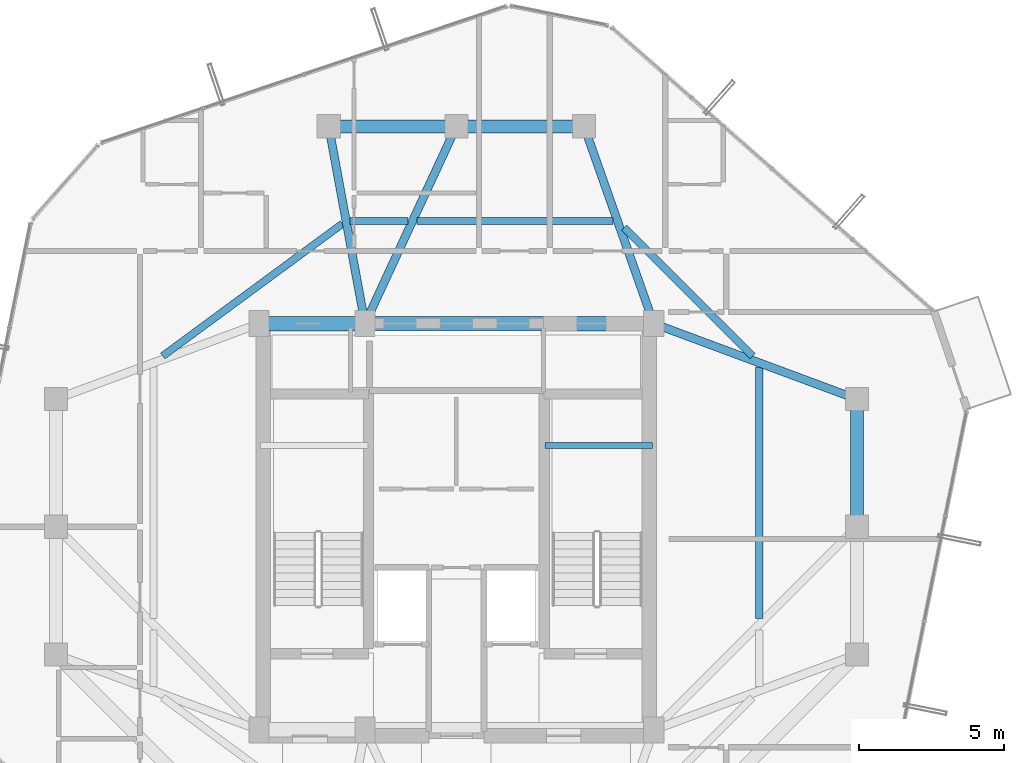
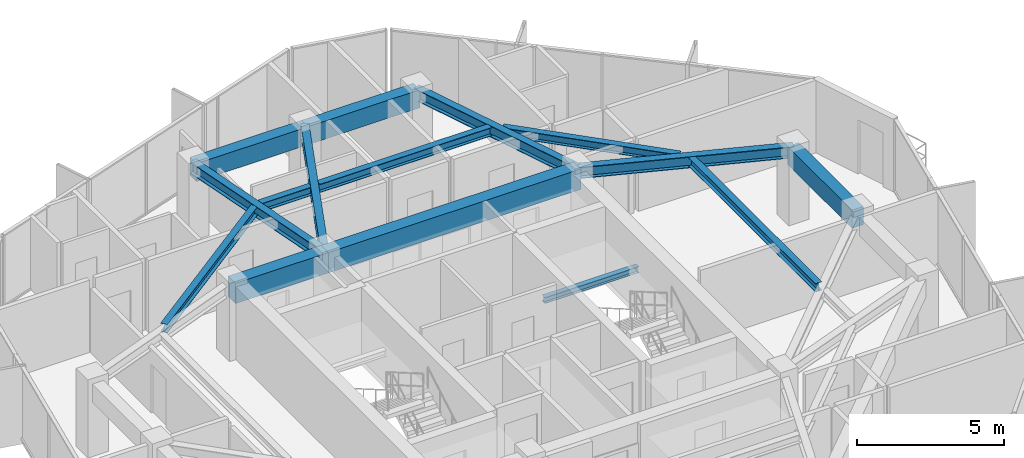
# One storey, part 14 of 28: 15 beams.
"""IFC4 building model written with IfcOpenShell, lengths in metres."""

from ifc_helpers import new_model, si_unit, direction, frame, origin, origin_2d, place, context, subcontext, project, spatial, rectangle, i_section, extrude, material, material_profile, profile_set, type_object, element, save


model = new_model("IFC4")

# Units and contexts
model_context = context("Model", 3, precision=1e-05, world=origin(), true_north=direction((0.0, 1.0)))
body_context = subcontext(model_context, "Body", "Model", "MODEL_VIEW")
ifc_project = project(units=[si_unit("LENGTHUNIT", "METRE"), si_unit("AREAUNIT", "SQUARE_METRE"), si_unit("VOLUMEUNIT", "CUBIC_METRE"), si_unit("PLANEANGLEUNIT", "RADIAN"), si_unit("MASSUNIT", "GRAM", prefix="KILO")], contexts=[model_context])

# Site, building, storey
site_placement = place(None, origin())
site = spatial("IfcSite", under=ifc_project, at=site_placement, CompositionType="ELEMENT")
building_placement = place(site_placement, origin())
building = spatial("IfcBuilding", under=site, at=building_placement, Name="Veraguas Prism Commons", CompositionType="ELEMENT")
storey_placement = place(building_placement, frame((0.0, 0.0, 248.0)))
storey = spatial("IfcBuildingStorey", under=building, at=storey_placement, Name="L70", CompositionType="ELEMENT", Elevation=248.0)

# Beams
ifc_material_1 = material(Name="Concrete C50/60", Category="concrete")
ifc_material_profile_1 = material_profile(ifc_material_1, rectangle(XDim=0.5, YDim=0.85009765625, at=origin_2d()), Name="RC500X850")
ifc_profile_set_1 = profile_set([ifc_material_profile_1], Name="Concrete C50/60")
beam_type_1 = type_object("IfcBeamType", Name="Core Coupling Beam RC 500x850", PredefinedType="BEAM", material=ifc_profile_set_1)
beam_1_placement = place(storey_placement, frame((17.199951171875, 31.0, 2.590087890625), z_axis=(1.0, 0.0, 0.0), x_axis=(0.0, 1.0, 0.0)))
element("IfcBeam", 1, at=beam_1_placement, inside=storey, type_object=beam_type_1, Name="Core Coupling Beam L70-CRN1", PredefinedType="BEAM", context=body_context, shape_type="SweptSolid", body=[
    extrude(rectangle(XDim=0.5, YDim=0.85009765625, at=origin_2d()), origin(), (0.0, 0.0, 1.0), 3.650146484375),
])
beam_2_placement = place(storey_placement, frame((20.85009765625, 31.0, 2.590087890625), z_axis=(1.0, 0.0, 0.0), x_axis=(0.0, 1.0, 0.0)))
element("IfcBeam", 2, at=beam_2_placement, inside=storey, type_object=beam_type_1, Name="Core Coupling Beam L70-CRN2", PredefinedType="BEAM", context=body_context, shape_type="SweptSolid", body=[
    extrude(rectangle(XDim=0.5, YDim=0.85009765625, at=origin_2d()), origin(), (0.0, 0.0, 1.0), 9.949951171875),
])
ifc_material_profile_2 = material_profile(ifc_material_1, rectangle(XDim=0.449951171875, YDim=0.75, at=origin_2d()), Name="RC450X750")
ifc_profile_set_2 = profile_set([ifc_material_profile_2], Name="Concrete C50/60")
beam_type_2 = type_object("IfcBeamType", Name="Perimeter Spandrel Upper RC 450x750", PredefinedType="SPANDREL", material=ifc_profile_set_2)
for number, where, z_axis, x_axis, name in (
    (3, (37.800048828125, 24.0, 2.639892578125), (0.0, 1.0, 0.0), (-1.0, 0.0, 0.0), "Perimeter Spandrel Beam L70-SP02"),
    (4, (28.39990234375, 37.800048828125, 2.639892578125), (-1.0, 0.0, 0.0), (0.0, -1.0, 0.0), "Perimeter Spandrel Beam L70-SP04"),
    (5, (24.0, 37.800048828125, 2.639892578125), (-1.0, 0.0, 0.0), (0.0, -1.0, 0.0), "Perimeter Spandrel Beam L70-SP05"),
):
    element("IfcBeam", number, at=place(storey_placement, frame(where, z_axis=z_axis, x_axis=x_axis)), inside=storey, type_object=beam_type_2, Name=name, PredefinedType="SPANDREL", context=body_context, shape_type="SweptSolid", body=[
        extrude(rectangle(XDim=0.449951171875, YDim=0.75, at=origin_2d()), origin(), (0.0, 0.0, 1.0), 4.39990234375),
    ])
ifc_material_2 = material(Name="Steel ASTM A992 Grade 50", Category="steel")
ifc_material_profile_3 = material_profile(ifc_material_2, i_section(OverallWidth=0.202880859375, OverallDepth=0.251953125, WebThickness=0.008056640625, FlangeThickness=0.013427734375, at=origin_2d()), Name="W250X58")
ifc_profile_set_3 = profile_set([ifc_material_profile_3], Name="Steel ASTM A992 Grade 50")
beam_type_3 = type_object("IfcBeamType", Name="Structural Opening Lintel W250x58", PredefinedType="LINTEL", material=ifc_profile_set_3)
beam_3_placement = place(storey_placement, frame((27.050048828125, 26.800048828125, 1.299072265625), z_axis=(1.0, 0.0, 0.0), x_axis=(0.0, 1.0, 0.0)))
element("IfcBeam", 6, at=beam_3_placement, inside=storey, type_object=beam_type_3, Name="Stair ST-02 Half-Landing Support Beam L70-1", PredefinedType="LINTEL", context=body_context, shape_type="SweptSolid", body=[
    extrude(i_section(OverallWidth=0.202880859375, OverallDepth=0.251953125, WebThickness=0.008056640625, FlangeThickness=0.013427734375, at=origin_2d()), origin(), (0.0, 0.0, 1.0), 3.699951171875),
])
ifc_material_profile_4 = material_profile(ifc_material_2, i_section(OverallWidth=0.25390625, OverallDepth=0.35302734375, WebThickness=0.009521484375, FlangeThickness=0.016357421875, at=origin_2d()), Name="W360X91")
ifc_profile_set_4 = profile_set([ifc_material_profile_4], Name="Steel ASTM A992 Grade 50")
beam_type_4 = type_object("IfcBeamType", Name="Upper Floor Joist W360x91", PredefinedType="JOIST", material=ifc_profile_set_4)
beam_4_placement = place(storey_placement, frame((34.43994140625, 20.83740234375, 2.83837890625), z_axis=(0.0, 1.0, 0.0), x_axis=(-1.0, 0.0, 0.0)))
element("IfcBeam", 7, at=beam_4_placement, inside=storey, type_object=beam_type_4, Name="Composite Floor Joist L70-JS02", PredefinedType="JOIST", context=body_context, shape_type="SweptSolid", body=[
    extrude(i_section(OverallWidth=0.25390625, OverallDepth=0.35302734375, WebThickness=0.009521484375, FlangeThickness=0.016357421875, at=origin_2d()), origin(), (0.0, 0.0, 1.0), 8.661865234375),
])
beam_5_placement = place(storey_placement, frame((34.203369140625, 29.884765625, 2.83837890625), z_axis=(-0.707126297541, 0.707087264294, 0.0), x_axis=(-0.707087264294, -0.707126297541, 0.0)))
element("IfcBeam", 8, at=beam_5_placement, inside=storey, type_object=beam_type_4, Name="Composite Floor Joist L70-JS03", PredefinedType="JOIST", context=body_context, shape_type="SweptSolid", body=[
    extrude(i_section(OverallWidth=0.25390625, OverallDepth=0.35302734375, WebThickness=0.009521484375, FlangeThickness=0.016357421875, at=origin_2d()), origin(), (0.0, 0.0, 1.0), 6.254638671875),
])
beam_6_placement = place(storey_placement, frame((29.404052734375, 34.535888671875, 2.83837890625), z_axis=(-1.0, 0.0, 0.0), x_axis=(0.0, -1.0, 0.0)))
element("IfcBeam", 9, at=beam_6_placement, inside=storey, type_object=beam_type_4, Name="Composite Floor Joist L70-JS04", PredefinedType="JOIST", context=body_context, shape_type="SweptSolid", body=[
    extrude(i_section(OverallWidth=0.25390625, OverallDepth=0.35302734375, WebThickness=0.009521484375, FlangeThickness=0.016357421875, at=origin_2d()), origin(), (0.0, 0.0, 1.0), 6.762451171875),
])
beam_7_placement = place(storey_placement, frame((22.334228515625, 34.535888671875, 2.83837890625), z_axis=(-1.0, 0.0, 0.0), x_axis=(0.0, -1.0, 0.0)))
element("IfcBeam", 10, at=beam_7_placement, inside=storey, type_object=beam_type_4, Name="Composite Floor Joist L70-JS05", PredefinedType="JOIST", context=body_context, shape_type="SweptSolid", body=[
    extrude(i_section(OverallWidth=0.25390625, OverallDepth=0.35302734375, WebThickness=0.009521484375, FlangeThickness=0.016357421875, at=origin_2d()), origin(), (0.0, 0.0, 1.0), 1.992431640625),
])
beam_8_placement = place(storey_placement, frame((20.0751953125, 34.444091796875, 2.83837890625), z_axis=(-0.805319835229, -0.592840588174, 0.0), x_axis=(0.592840588174, -0.805319835229, 0.0)))
element("IfcBeam", 11, at=beam_8_placement, inside=storey, type_object=beam_type_4, Name="Composite Floor Joist L70-JS06", PredefinedType="JOIST", context=body_context, shape_type="SweptSolid", body=[
    extrude(i_section(OverallWidth=0.25390625, OverallDepth=0.35302734375, WebThickness=0.009521484375, FlangeThickness=0.016357421875, at=origin_2d()), origin(), (0.0, 0.0, 1.0), 7.69140625),
])
ifc_material_profile_5 = material_profile(ifc_material_2, i_section(OverallWidth=0.282958984375, OverallDepth=0.471923828125, WebThickness=0.013671875, FlangeThickness=0.022216796875, at=origin_2d()), Name="W460X144")
ifc_profile_set_5 = profile_set([ifc_material_profile_5], Name="Steel ASTM A992 Grade 50")
beam_type_5 = type_object("IfcBeamType", Name="Zone 4 Radial Girder W460x144", PredefinedType="BEAM", material=ifc_profile_set_5)
beam_9_placement = place(storey_placement, frame((37.800048828125, 28.39990234375, 2.779052734375), z_axis=(-0.937421003341, 0.348198021958, 0.0), x_axis=(-0.348198021958, -0.937421003341, 0.0)))
element("IfcBeam", 12, at=beam_9_placement, inside=storey, type_object=beam_type_5, Name="Radial Floor Girder L70-RD03", PredefinedType="BEAM", context=body_context, shape_type="SweptSolid", body=[
    extrude(i_section(OverallWidth=0.282958984375, OverallDepth=0.471923828125, WebThickness=0.013671875, FlangeThickness=0.022216796875, at=origin_2d()), origin(), (0.0, 0.0, 1.0), 7.46728515625),
])
beam_10_placement = place(storey_placement, frame((28.39990234375, 37.800048828125, 2.779052734375), z_axis=(0.332836055941, -0.942984708182, 0.0), x_axis=(0.942984708182, 0.332836055941, 0.0)))
element("IfcBeam", 13, at=beam_10_placement, inside=storey, type_object=beam_type_5, Name="Radial Floor Girder L70-RD04", PredefinedType="BEAM", context=body_context, shape_type="SweptSolid", body=[
    extrude(i_section(OverallWidth=0.282958984375, OverallDepth=0.471923828125, WebThickness=0.013671875, FlangeThickness=0.022216796875, at=origin_2d()), origin(), (0.0, 0.0, 1.0), 7.211181640625),
])
beam_11_placement = place(storey_placement, frame((24.0, 37.800048828125, 2.779052734375), z_axis=(-0.420313834543, -0.907378796585, 0.0), x_axis=(0.907378796585, -0.420313834543, 0.0)))
element("IfcBeam", 14, at=beam_11_placement, inside=storey, type_object=beam_type_5, Name="Radial Floor Girder L70-RD05", PredefinedType="BEAM", context=body_context, shape_type="SweptSolid", body=[
    extrude(i_section(OverallWidth=0.282958984375, OverallDepth=0.471923828125, WebThickness=0.013671875, FlangeThickness=0.022216796875, at=origin_2d()), origin(), (0.0, 0.0, 1.0), 7.494140625),
])
beam_12_placement = place(storey_placement, frame((19.60009765625, 37.800048828125, 2.779052734375), z_axis=(0.180793033327, -0.983521163524, 0.0), x_axis=(0.983521163524, 0.180793033327, 0.0)))
element("IfcBeam", 15, at=beam_12_placement, inside=storey, type_object=beam_type_5, Name="Radial Floor Girder L70-RD06", PredefinedType="BEAM", context=body_context, shape_type="SweptSolid", body=[
    extrude(i_section(OverallWidth=0.282958984375, OverallDepth=0.471923828125, WebThickness=0.013671875, FlangeThickness=0.022216796875, at=origin_2d()), origin(), (0.0, 0.0, 1.0), 6.9140625),
])

save(model, "model.ifc")
